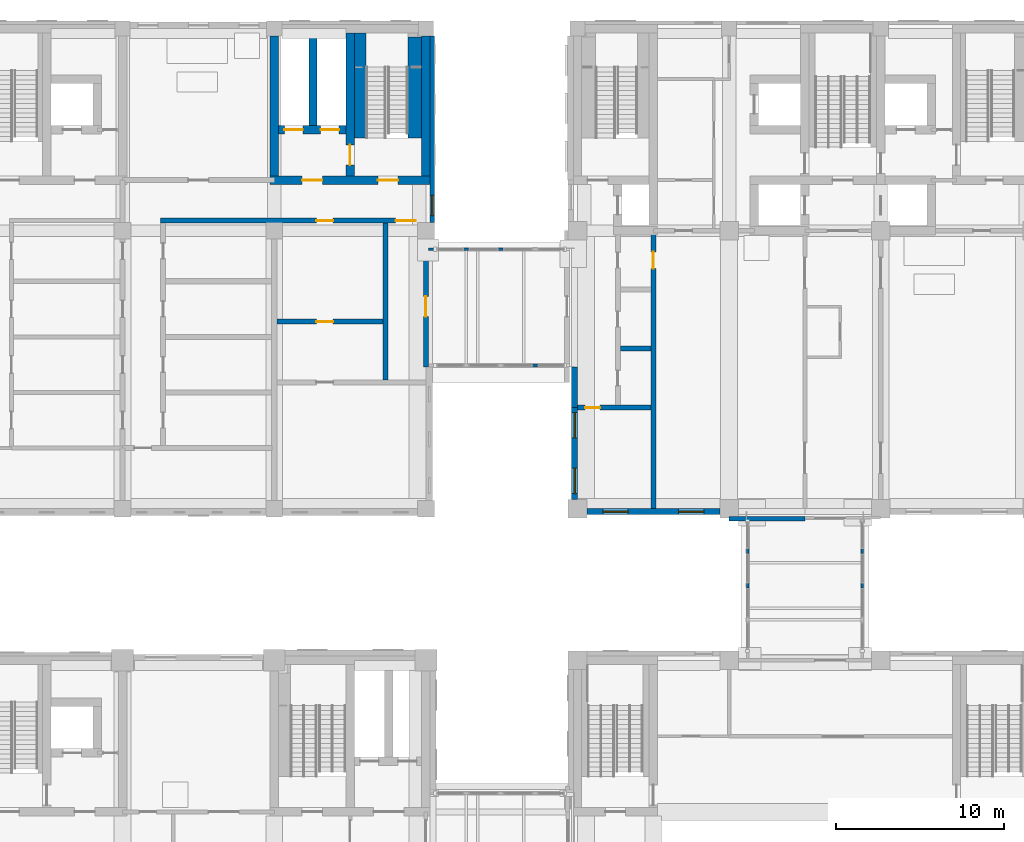
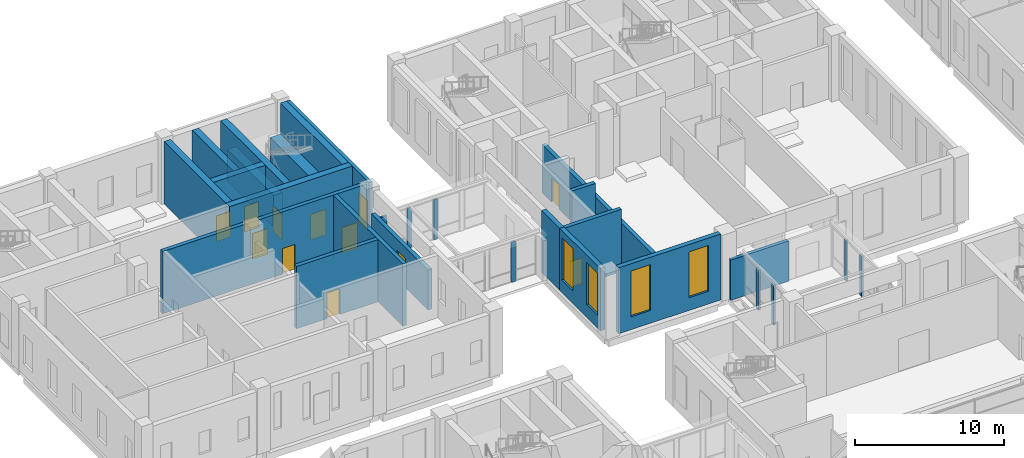
# One storey, part 32 of 52: 28 walls, 11 doors, 5 windows, 16 openings.
"""IFC4 building model written with IfcOpenShell, lengths in metres."""

from ifc_helpers import new_model, si_unit, direction, frame, frame_2d, origin, place, context, subcontext, project, spatial, rectangle, extrude, material, layer, layer_set, type_object, element, fill, save


model = new_model("IFC4")

# Units and contexts
model_context = context("Model", 3, precision=1e-05, world=origin(), true_north=direction((0.0, 1.0)))
body_context = subcontext(model_context, "Body", "Model", "MODEL_VIEW")
ifc_project = project(units=[si_unit("LENGTHUNIT", "METRE"), si_unit("AREAUNIT", "SQUARE_METRE"), si_unit("VOLUMEUNIT", "CUBIC_METRE"), si_unit("PLANEANGLEUNIT", "RADIAN"), si_unit("MASSUNIT", "GRAM", prefix="KILO")], contexts=[model_context])

# Site, building, storey
site_placement = place(None, origin())
site = spatial("IfcSite", under=ifc_project, at=site_placement, CompositionType="ELEMENT")
building_placement = place(site_placement, origin())
building = spatial("IfcBuilding", under=site, at=building_placement, Name="Aurelan Courthouse", CompositionType="ELEMENT")
storey_placement = place(building_placement, frame((0.0, 0.0, 6.60009765625)))
storey = spatial("IfcBuildingStorey", under=building, at=storey_placement, Name="L01", CompositionType="ELEMENT", Elevation=6.60009765625)

# Wall, openings, windows
ifc_material_1 = material(Name="Granite cladding", Category="masonry")
ifc_layer_1 = layer(ifc_material_1, 0.10009765625, Name="Facing")
ifc_material_2 = material(Name="Ventilated cavity")
ifc_layer_2 = layer(ifc_material_2, 0.02490234375, ventilated=True, Name="Ventilated cavity")
ifc_material_3 = material(Name="Mineral wool insulation")
ifc_layer_3 = layer(ifc_material_3, 0.050048828125, Name="Insulation")
ifc_material_4 = material(Name="Concrete C30", Category="concrete")
ifc_layer_4 = layer(ifc_material_4, 0.175048828125, Name="Structure")
ifc_layer_set_1 = layer_set([ifc_layer_1, ifc_layer_2, ifc_layer_3, ifc_layer_4], Name="Concrete C30")
wall_type_1 = type_object("IfcWallType", Name="Courtroom Block granite-faced wall 350", PredefinedType="SOLIDWALL", material=ifc_layer_set_1)
wall_1_placement = place(storey_placement, frame((36.550048828125, 37.324951171875, 0.0), z_axis=(0.0, 0.0, 1.0), x_axis=(1.0, 0.0, 0.0)))
wall_1 = element("IfcWall", 1, at=wall_1_placement, inside=storey, type_object=wall_type_1, Name="Facade wall FW-V2-L01-001", PredefinedType="SOLIDWALL", context=body_context, shape_type="SweptSolid", body=[
    extrude(rectangle(XDim=7.89990234375, YDim=0.35009765625, at=frame_2d((3.949951171875, 0.0))), origin(), (0.0, 0.0, 1.0), 5.39990234375),
])
opening_1_placement = place(wall_1_placement, frame((0.949951171875, 0.0, 1.050048828125)))
opening_1 = element("IfcOpeningElement", 2, at=opening_1_placement, cuts=wall_1, Name="Opening WN-V2-L01-001", PredefinedType="OPENING", context=body_context, shape_type="SweptSolid", body=[
    extrude(rectangle(XDim=1.5, YDim=3.75, at=frame_2d((0.75, 1.875))), frame((0.0, 0.18505859375, 0.0), z_axis=(0.0, -1.0, 0.0), x_axis=(1.0, 0.0, 0.0)), (0.0, 0.0, 1.0), 0.3701171875),
])
opening_2_placement = place(wall_1_placement, frame((5.449951171875, 0.0, 1.050048828125)))
opening_2 = element("IfcOpeningElement", 3, at=opening_2_placement, cuts=wall_1, Name="Opening WN-V2-L01-002", PredefinedType="OPENING", context=body_context, shape_type="SweptSolid", body=[
    extrude(rectangle(XDim=1.5, YDim=3.75, at=frame_2d((0.75, 1.875))), frame((0.0, 0.18505859375, 0.0), z_axis=(0.0, -1.0, 0.0), x_axis=(1.0, 0.0, 0.0)), (0.0, 0.0, 1.0), 0.3701171875),
])
ifc_material_5 = material(Name="Bronze-finished aluminium and glass", Category="aluminium")
window_type_1 = type_object("IfcWindowType", Name="Courtroom Block glazed slot 1500 x 3750, sill 1050", PartitioningType="SINGLE_PANEL", PredefinedType="WINDOW", material=ifc_material_5)
window_1_placement = place(opening_1_placement, origin())
window_1 = element("IfcWindow", 4, at=window_1_placement, inside=storey, type_object=window_type_1, Name="Glazed slot WN-V2-L01-001", OverallHeight=3.75, OverallWidth=1.5, PartitioningType="SINGLE_PANEL", PredefinedType="WINDOW", context=body_context, shape_type="SweptSolid", body=[
    extrude(rectangle(XDim=1.5, YDim=3.75, at=frame_2d((0.75, 1.875))), frame((0.0, 0.030029296875, 0.0), z_axis=(0.0, -1.0, 0.0), x_axis=(1.0, 0.0, 0.0)), (0.0, 0.0, 1.0), 0.06005859375),
])
fill(opening_1, window_1)
window_2_placement = place(opening_2_placement, origin())
window_2 = element("IfcWindow", 5, at=window_2_placement, inside=storey, type_object=window_type_1, Name="Glazed slot WN-V2-L01-002", OverallHeight=3.75, OverallWidth=1.5, PartitioningType="SINGLE_PANEL", PredefinedType="WINDOW", context=body_context, shape_type="SweptSolid", body=[
    extrude(rectangle(XDim=1.5, YDim=3.75, at=frame_2d((0.75, 1.875))), frame((0.0, 0.030029296875, 0.0), z_axis=(0.0, -1.0, 0.0), x_axis=(1.0, 0.0, 0.0)), (0.0, 0.0, 1.0), 0.06005859375),
])
fill(opening_2, window_2)

wall_2_placement = place(storey_placement, frame((35.824951171875, 38.050048828125, 0.0), z_axis=(0.0, 0.0, 1.0), x_axis=(0.0, 1.0, 0.0)))
wall_2 = element("IfcWall", 6, at=wall_2_placement, inside=storey, type_object=wall_type_1, Name="Facade wall FW-V2-L01-009", PredefinedType="SOLIDWALL", context=body_context, shape_type="SweptSolid", body=[
    extrude(rectangle(XDim=5.449951171875, YDim=0.35009765625, at=frame_2d((2.72509765625, 0.0))), origin(), (0.0, 0.0, 1.0), 5.099853515625),
])
opening_3_placement = place(wall_2_placement, frame((0.35009765625, 0.0, 1.050048828125)))
opening_3 = element("IfcOpeningElement", 7, at=opening_3_placement, cuts=wall_2, Name="Opening WN-V2-L01-013", PredefinedType="OPENING", context=body_context, shape_type="SweptSolid", body=[
    extrude(rectangle(XDim=1.5, YDim=3.449951171875, at=frame_2d((0.75, 1.72509765625))), frame((0.0, 0.18505859375, 0.0), z_axis=(0.0, -1.0, 0.0), x_axis=(1.0, 0.0, 0.0)), (0.0, 0.0, 1.0), 0.3701171875),
])
opening_4_placement = place(wall_2_placement, frame((3.64990234375, 0.0, 1.050048828125)))
opening_4 = element("IfcOpeningElement", 8, at=opening_4_placement, cuts=wall_2, Name="Opening WN-V2-L01-014", PredefinedType="OPENING", context=body_context, shape_type="SweptSolid", body=[
    extrude(rectangle(XDim=1.5, YDim=3.449951171875, at=frame_2d((0.75, 1.72509765625))), frame((0.0, 0.18505859375, 0.0), z_axis=(0.0, -1.0, 0.0), x_axis=(1.0, 0.0, 0.0)), (0.0, 0.0, 1.0), 0.3701171875),
])
window_type_2 = type_object("IfcWindowType", Name="Courtroom Block glazed slot 1500 x 3450, sill 1050", PartitioningType="SINGLE_PANEL", PredefinedType="WINDOW", material=ifc_material_5)
window_3_placement = place(opening_3_placement, origin())
window_3 = element("IfcWindow", 9, at=window_3_placement, inside=storey, type_object=window_type_2, Name="Glazed slot WN-V2-L01-013", OverallHeight=3.449951171875, OverallWidth=1.5, PartitioningType="SINGLE_PANEL", PredefinedType="WINDOW", context=body_context, shape_type="SweptSolid", body=[
    extrude(rectangle(XDim=1.5, YDim=3.449951171875, at=frame_2d((0.75, 1.72509765625))), frame((0.0, 0.030029296875, 0.0), z_axis=(0.0, -1.0, 0.0), x_axis=(1.0, 0.0, 0.0)), (0.0, 0.0, 1.0), 0.06005859375),
])
fill(opening_3, window_3)
window_4_placement = place(opening_4_placement, origin())
window_4 = element("IfcWindow", 10, at=window_4_placement, inside=storey, type_object=window_type_2, Name="Glazed slot WN-V2-L01-014", OverallHeight=3.449951171875, OverallWidth=1.5, PartitioningType="SINGLE_PANEL", PredefinedType="WINDOW", context=body_context, shape_type="SweptSolid", body=[
    extrude(rectangle(XDim=1.5, YDim=3.449951171875, at=frame_2d((0.75, 1.72509765625))), frame((0.0, 0.030029296875, 0.0), z_axis=(0.0, -1.0, 0.0), x_axis=(1.0, 0.0, 0.0)), (0.0, 0.0, 1.0), 0.06005859375),
])
fill(opening_4, window_4)

# Walls
wall_3_placement = place(storey_placement, frame((35.824951171875, 43.5, 0.0), z_axis=(0.0, 0.0, 1.0), x_axis=(0.0, 1.0, 0.0)))
element("IfcWall", 11, at=wall_3_placement, inside=storey, type_object=wall_type_1, Name="Facade wall FW-V2-L01-010", PredefinedType="SOLIDWALL", context=body_context, shape_type="SweptSolid", body=[
    extrude(rectangle(XDim=2.425048828125, YDim=0.35009765625, at=frame_2d((1.21240234375, 0.0))), origin(), (0.0, 0.0, 1.0), 5.099853515625),
])
ifc_material_6 = material(Name="Masonry block", Category="masonry")
ifc_layer_5 = layer(ifc_material_6, 0.25)
ifc_layer_set_2 = layer_set([ifc_layer_5], Name="Masonry block")
wall_type_2 = type_object("IfcWallType", Name="Courtroom wall 250 EI 60", PredefinedType="PARTITIONING", material=ifc_layer_set_2)
wall_4_placement = place(storey_placement, frame((45.0, 36.89990234375, 0.0), z_axis=(0.0, 0.0, 1.0), x_axis=(1.0, 0.0, 0.0)))
element("IfcWall", 12, at=wall_4_placement, inside=storey, type_object=wall_type_2, Name="Courtroom wall L01-028", PredefinedType="PARTITIONING", context=body_context, shape_type="SweptSolid", body=[
    extrude(rectangle(XDim=4.5, YDim=0.25, at=frame_2d((2.25, 0.0))), origin(), (0.0, 0.0, 1.0), 3.2998046875),
])

# Wall, opening, window
ifc_layer_6 = layer(ifc_material_1, 0.070068359375, Name="Facing")
ifc_layer_7 = layer(ifc_material_2, 0.02490234375, ventilated=True, Name="Ventilated cavity")
ifc_layer_8 = layer(ifc_material_3, 0.034912109375, Name="Insulation")
ifc_layer_9 = layer(ifc_material_4, 0.1201171875, Name="Structure")
ifc_layer_set_3 = layer_set([ifc_layer_6, ifc_layer_7, ifc_layer_8, ifc_layer_9], Name="Concrete C30")
wall_type_3 = type_object("IfcWallType", Name="Custody Suite granite-faced wall 250", PredefinedType="SOLIDWALL", material=ifc_layer_set_3)
wall_5_placement = place(storey_placement, frame((27.375, 54.5, 0.0), z_axis=(0.0, 0.0, 1.0), x_axis=(0.0, 1.0, 0.0)))
wall_5 = element("IfcWall", 13, at=wall_5_placement, inside=storey, type_object=wall_type_3, Name="Facade wall FW-V6-L01-008", PredefinedType="SOLIDWALL", context=body_context, shape_type="SweptSolid", body=[
    extrude(rectangle(XDim=11.050048828125, YDim=0.25, at=frame_2d((5.52490234375, 0.0))), origin(), (0.0, 0.0, 1.0), 5.099853515625),
])
opening_5_placement = place(wall_5_placement, frame((0.39990234375, 0.0, 0.89990234375)))
opening_5 = element("IfcOpeningElement", 14, at=opening_5_placement, cuts=wall_5, Name="Opening WN-V6-L01-017", PredefinedType="OPENING", context=body_context, shape_type="SweptSolid", body=[
    extrude(rectangle(XDim=1.199951171875, YDim=2.39990234375, at=frame_2d((0.60009765625, 1.199951171875))), frame((0.0, 0.135009765625, 0.0), z_axis=(0.0, -1.0, 0.0), x_axis=(1.0, 0.0, 0.0)), (0.0, 0.0, 1.0), 0.27001953125),
])
window_type_3 = type_object("IfcWindowType", Name="Custody Suite glazed slot 1200 x 2400, sill 900", PartitioningType="SINGLE_PANEL", PredefinedType="WINDOW", material=ifc_material_5)
window_5_placement = place(opening_5_placement, origin())
window_5 = element("IfcWindow", 15, at=window_5_placement, inside=storey, type_object=window_type_3, Name="Glazed slot WN-V6-L01-017", OverallHeight=2.39990234375, OverallWidth=1.199951171875, PartitioningType="SINGLE_PANEL", PredefinedType="WINDOW", context=body_context, shape_type="SweptSolid", body=[
    extrude(rectangle(XDim=1.199951171875, YDim=2.39990234375, at=frame_2d((0.60009765625, 1.199951171875))), frame((0.0, 0.030029296875, 0.0), z_axis=(0.0, -1.0, 0.0), x_axis=(1.0, 0.0, 0.0)), (0.0, 0.0, 1.0), 0.06005859375),
])
fill(opening_5, window_5)

# Wall, opening, door
ifc_layer_10 = layer(ifc_material_4, 0.300048828125)
ifc_layer_set_4 = layer_set([ifc_layer_10], Name="Concrete C30")
wall_type_4 = type_object("IfcWallType", Name="Custody wall 300 EI 120", PredefinedType="PARTITIONING", material=ifc_layer_set_4)
wall_6_placement = place(storey_placement, frame((36.0, 43.5, 0.0), z_axis=(0.0, 0.0, 1.0), x_axis=(1.0, 0.0, 0.0)))
wall_6 = element("IfcWall", 16, at=wall_6_placement, inside=storey, type_object=wall_type_4, Name="Custody wall L01-033", PredefinedType="PARTITIONING", context=body_context, shape_type="SweptSolid", body=[
    extrude(rectangle(XDim=4.35009765625, YDim=0.300048828125, at=frame_2d((2.175048828125, 0.0))), origin(), (0.0, 0.0, 1.0), 5.099853515625),
])
opening_6_placement = place(wall_6_placement, frame((1.349853515625, 0.0, 0.0), z_axis=(0.0, 0.0, 1.0), x_axis=(-1.0, 0.0, 0.0)))
opening_6 = element("IfcOpeningElement", 17, at=opening_6_placement, cuts=wall_6, Name="Opening D-L01-026", PredefinedType="OPENING", context=body_context, shape_type="SweptSolid", body=[
    extrude(rectangle(XDim=0.89990234375, YDim=2.10009765625, at=frame_2d((0.449951171875, 1.050048828125))), frame((0.0, 0.159912109375, 0.0), z_axis=(0.0, -1.0, 0.0), x_axis=(1.0, 0.0, 0.0)), (0.0, 0.0, 1.0), 0.320068359375),
])
ifc_material_7 = material(Name="Steel", Category="steel")
door_type_1 = type_object("IfcDoorType", Name="Single door 900 x 2100 FD90", OperationType="SINGLE_SWING_LEFT", PredefinedType="DOOR", material=ifc_material_7)
door_1_placement = place(opening_6_placement, origin())
door_1 = element("IfcDoor", 18, at=door_1_placement, inside=storey, type_object=door_type_1, Name="Single door D-L01-026", OperationType="SINGLE_SWING_RIGHT", OverallHeight=2.10009765625, OverallWidth=0.89990234375, PredefinedType="DOOR", context=body_context, shape_type="SweptSolid", body=[
    extrude(rectangle(XDim=0.89990234375, YDim=2.10009765625, at=frame_2d((0.449951171875, 1.050048828125))), frame((0.0, 0.02490234375, 0.0), z_axis=(0.0, -1.0, 0.0), x_axis=(1.0, 0.0, 0.0)), (0.0, 0.0, 1.0), 0.050048828125),
])
fill(opening_6, door_1)

# Wall
wall_7_placement = place(storey_placement, frame((38.550048828125, 47.0, 0.0), z_axis=(0.0, 0.0, 1.0), x_axis=(1.0, 0.0, 0.0)))
element("IfcWall", 19, at=wall_7_placement, inside=storey, type_object=wall_type_4, Name="Custody wall L01-038", PredefinedType="PARTITIONING", context=body_context, shape_type="SweptSolid", body=[
    extrude(rectangle(XDim=1.800048828125, YDim=0.300048828125, at=frame_2d((0.89990234375, 0.0))), origin(), (0.0, 0.0, 1.0), 5.099853515625),
])

# Wall, opening, door
wall_8_placement = place(storey_placement, frame((18.14990234375, 48.60009765625, 0.0), z_axis=(0.0, 0.0, 1.0), x_axis=(1.0, 0.0, 0.0)))
wall_8 = element("IfcWall", 20, at=wall_8_placement, inside=storey, type_object=wall_type_4, Name="Custody wall L01-041", PredefinedType="PARTITIONING", context=body_context, shape_type="SweptSolid", body=[
    extrude(rectangle(XDim=6.300048828125, YDim=0.300048828125, at=frame_2d((3.14990234375, 0.0))), origin(), (0.0, 0.0, 1.0), 5.099853515625),
])
opening_7_placement = place(wall_8_placement, frame((3.35009765625, 0.0, 0.0), z_axis=(0.0, 0.0, 1.0), x_axis=(-1.0, 0.0, 0.0)))
opening_7 = element("IfcOpeningElement", 21, at=opening_7_placement, cuts=wall_8, Name="Opening D-L01-116", PredefinedType="OPENING", context=body_context, shape_type="SweptSolid", body=[
    extrude(rectangle(XDim=1.0, YDim=2.10009765625, at=frame_2d((0.5, 1.050048828125))), frame((0.0, 0.159912109375, 0.0), z_axis=(0.0, -1.0, 0.0), x_axis=(1.0, 0.0, 0.0)), (0.0, 0.0, 1.0), 0.320068359375),
])
door_type_2 = type_object("IfcDoorType", Name="Single door 1000 x 2100 FD120", OperationType="SINGLE_SWING_LEFT", PredefinedType="DOOR", material=ifc_material_7)
door_2_placement = place(opening_7_placement, origin())
door_2 = element("IfcDoor", 22, at=door_2_placement, inside=storey, type_object=door_type_2, Name="Single door D-L01-116", OperationType="SINGLE_SWING_RIGHT", OverallHeight=2.10009765625, OverallWidth=1.0, PredefinedType="DOOR", context=body_context, shape_type="SweptSolid", body=[
    extrude(rectangle(XDim=1.0, YDim=2.10009765625, at=frame_2d((0.5, 1.050048828125))), frame((0.0, 0.02490234375, 0.0), z_axis=(0.0, -1.0, 0.0), x_axis=(1.0, 0.0, 0.0)), (0.0, 0.0, 1.0), 0.050048828125),
])
fill(opening_7, door_2)

# Wall, openings, doors
wall_9_placement = place(storey_placement, frame((11.25, 54.60009765625, 0.0), z_axis=(0.0, 0.0, 1.0), x_axis=(1.0, 0.0, 0.0)))
wall_9 = element("IfcWall", 23, at=wall_9_placement, inside=storey, type_object=wall_type_4, Name="Custody wall L01-056", PredefinedType="PARTITIONING", context=body_context, shape_type="SweptSolid", body=[
    extrude(rectangle(XDim=15.75, YDim=0.300048828125, at=frame_2d((7.875, 0.0))), origin(), (0.0, 0.0, 1.0), 5.099853515625),
])
opening_8_placement = place(wall_9_placement, frame((15.14990234375, 0.0, 0.0), z_axis=(0.0, 0.0, 1.0), x_axis=(-1.0, 0.0, 0.0)))
opening_8 = element("IfcOpeningElement", 24, at=opening_8_placement, cuts=wall_9, Name="Opening D-L01-099", PredefinedType="OPENING", context=body_context, shape_type="SweptSolid", body=[
    extrude(rectangle(XDim=1.199951171875, YDim=2.10009765625, at=frame_2d((0.60009765625, 1.050048828125))), frame((0.0, 0.159912109375, 0.0), z_axis=(0.0, -1.0, 0.0), x_axis=(1.0, 0.0, 0.0)), (0.0, 0.0, 1.0), 0.320068359375),
])
opening_9_placement = place(wall_9_placement, frame((10.25, 0.0, 0.0), z_axis=(0.0, 0.0, 1.0), x_axis=(-1.0, 0.0, 0.0)))
opening_9 = element("IfcOpeningElement", 25, at=opening_9_placement, cuts=wall_9, Name="Opening D-L01-115", PredefinedType="OPENING", context=body_context, shape_type="SweptSolid", body=[
    extrude(rectangle(XDim=1.0, YDim=2.10009765625, at=frame_2d((0.5, 1.050048828125))), frame((0.0, 0.159912109375, 0.0), z_axis=(0.0, -1.0, 0.0), x_axis=(1.0, 0.0, 0.0)), (0.0, 0.0, 1.0), 0.320068359375),
])
door_3_placement = place(opening_9_placement, origin())
door_3 = element("IfcDoor", 26, at=door_3_placement, inside=storey, type_object=door_type_2, Name="Single door D-L01-115", OperationType="SINGLE_SWING_RIGHT", OverallHeight=2.10009765625, OverallWidth=1.0, PredefinedType="DOOR", context=body_context, shape_type="SweptSolid", body=[
    extrude(rectangle(XDim=1.0, YDim=2.10009765625, at=frame_2d((0.5, 1.050048828125))), frame((0.0, 0.02490234375, 0.0), z_axis=(0.0, -1.0, 0.0), x_axis=(1.0, 0.0, 0.0)), (0.0, 0.0, 1.0), 0.050048828125),
])
fill(opening_9, door_3)
door_type_3 = type_object("IfcDoorType", Name="Single door 1200 x 2100 FD120", OperationType="SINGLE_SWING_LEFT", PredefinedType="DOOR", material=ifc_material_7)
door_4_placement = place(opening_8_placement, origin())
door_4 = element("IfcDoor", 27, at=door_4_placement, inside=storey, type_object=door_type_3, Name="Single door D-L01-099", OperationType="SINGLE_SWING_LEFT", OverallHeight=2.10009765625, OverallWidth=1.199951171875, PredefinedType="DOOR", context=body_context, shape_type="SweptSolid", body=[
    extrude(rectangle(XDim=1.199951171875, YDim=2.10009765625, at=frame_2d((0.60009765625, 1.050048828125))), frame((0.0, 0.02490234375, 0.0), z_axis=(0.0, -1.0, 0.0), x_axis=(1.0, 0.0, 0.0)), (0.0, 0.0, 1.0), 0.050048828125),
])
fill(opening_8, door_4)

# Wall
wall_10_placement = place(storey_placement, frame((24.60009765625, 45.14990234375, 0.0), z_axis=(0.0, 0.0, 1.0), x_axis=(0.0, 1.0, 0.0)))
element("IfcWall", 28, at=wall_10_placement, inside=storey, type_object=wall_type_4, Name="Custody wall L01-083", PredefinedType="PARTITIONING", context=body_context, shape_type="SweptSolid", body=[
    extrude(rectangle(XDim=9.300048828125, YDim=0.300048828125, at=frame_2d((4.64990234375, 0.0))), origin(), (0.0, 0.0, 1.0), 5.099853515625),
])

# Wall, opening, door
wall_11_placement = place(storey_placement, frame((27.0, 45.925048828125, 0.0), z_axis=(0.0, 0.0, 1.0), x_axis=(0.0, 1.0, 0.0)))
wall_11 = element("IfcWall", 29, at=wall_11_placement, inside=storey, type_object=wall_type_4, Name="Custody wall L01-086", PredefinedType="PARTITIONING", context=body_context, shape_type="SweptSolid", body=[
    extrude(rectangle(XDim=7.574951171875, YDim=0.300048828125, at=frame_2d((3.78759765625, 0.0))), origin(), (0.0, 0.0, 1.0), 3.2998046875),
])
opening_10_placement = place(wall_11_placement, frame((2.97509765625, 0.0, 0.0)))
opening_10 = element("IfcOpeningElement", 30, at=opening_10_placement, cuts=wall_11, Name="Opening D-L01-122", PredefinedType="OPENING", context=body_context, shape_type="SweptSolid", body=[
    extrude(rectangle(XDim=1.199951171875, YDim=2.39990234375, at=frame_2d((0.60009765625, 1.199951171875))), frame((0.0, 0.159912109375, 0.0), z_axis=(0.0, -1.0, 0.0), x_axis=(1.0, 0.0, 0.0)), (0.0, 0.0, 1.0), 0.320068359375),
])
door_type_4 = type_object("IfcDoorType", Name="Double door 1200 x 2400 FD90", OperationType="DOUBLE_DOOR_SINGLE_SWING", PredefinedType="DOOR", material=ifc_material_7)
door_5_placement = place(opening_10_placement, origin())
door_5 = element("IfcDoor", 31, at=door_5_placement, inside=storey, type_object=door_type_4, Name="Double door D-L01-122", OperationType="DOUBLE_DOOR_SINGLE_SWING", OverallHeight=2.39990234375, OverallWidth=1.199951171875, PredefinedType="DOOR", context=body_context, shape_type="SweptSolid", body=[
    extrude(rectangle(XDim=1.199951171875, YDim=2.39990234375, at=frame_2d((0.60009765625, 1.199951171875))), frame((0.0, 0.02490234375, 0.0), z_axis=(0.0, -1.0, 0.0), x_axis=(1.0, 0.0, 0.0)), (0.0, 0.0, 1.0), 0.050048828125),
])
fill(opening_10, door_5)

wall_12_placement = place(storey_placement, frame((40.5, 37.5, 0.0), z_axis=(0.0, 0.0, 1.0), x_axis=(0.0, 1.0, 0.0)))
wall_12 = element("IfcWall", 32, at=wall_12_placement, inside=storey, type_object=wall_type_4, Name="Custody wall L01-093", PredefinedType="PARTITIONING", context=body_context, shape_type="SweptSolid", body=[
    extrude(rectangle(XDim=16.5, YDim=0.300048828125, at=frame_2d((8.25, 0.0))), origin(), (0.0, 0.0, 1.0), 3.949951171875),
])
opening_11_placement = place(wall_12_placement, frame((14.25, 0.0, 0.0)))
opening_11 = element("IfcOpeningElement", 33, at=opening_11_placement, cuts=wall_12, Name="Opening D-L01-030", PredefinedType="OPENING", context=body_context, shape_type="SweptSolid", body=[
    extrude(rectangle(XDim=1.0, YDim=2.0, at=frame_2d((0.5, 1.0))), frame((0.0, 0.159912109375, 0.0), z_axis=(0.0, -1.0, 0.0), x_axis=(1.0, 0.0, 0.0)), (0.0, 0.0, 1.0), 0.320068359375),
])
door_type_5 = type_object("IfcDoorType", Name="Single door 1000 x 2000 FD90", OperationType="SINGLE_SWING_LEFT", PredefinedType="DOOR", material=ifc_material_7)
door_6_placement = place(opening_11_placement, origin())
door_6 = element("IfcDoor", 34, at=door_6_placement, inside=storey, type_object=door_type_5, Name="Single door D-L01-030", OperationType="SINGLE_SWING_LEFT", OverallHeight=2.0, OverallWidth=1.0, PredefinedType="DOOR", context=body_context, shape_type="SweptSolid", body=[
    extrude(rectangle(XDim=1.0, YDim=2.0, at=frame_2d((0.5, 1.0))), frame((0.0, 0.02490234375, 0.0), z_axis=(0.0, -1.0, 0.0), x_axis=(1.0, 0.0, 0.0)), (0.0, 0.0, 1.0), 0.050048828125),
])
fill(opening_11, door_6)

# Walls
ifc_material_8 = material(Name="Concrete C40", Category="concrete")
ifc_layer_11 = layer(ifc_material_8, 0.14990234375)
ifc_layer_set_5 = layer_set([ifc_layer_11], Name="Concrete C40")
wall_type_5 = type_object("IfcWallType", Name="Passage end pier 150 x 500 x 3300", PredefinedType="SOLIDWALL", material=ifc_layer_set_5)
wall_13_placement = place(storey_placement, frame((27.14990234375, 52.89990234375, 0.0), z_axis=(0.0, 0.0, 1.0), x_axis=(1.0, 0.0, 0.0)))
element("IfcWall", 35, at=wall_13_placement, inside=storey, type_object=wall_type_5, Name="Passage pier BR4-P06", PredefinedType="SOLIDWALL", context=body_context, shape_type="SweptSolid", body=[
    extrude(rectangle(XDim=0.5, YDim=0.14990234375, at=frame_2d((0.25, 0.0))), origin(), (0.0, 0.0, 1.0), 3.2998046875),
])
ifc_layer_12 = layer(ifc_material_8, 0.14990234375)
ifc_layer_set_6 = layer_set([ifc_layer_12], Name="Concrete C40")
wall_type_6 = type_object("IfcWallType", Name="Passage pier 150 x 300 x 3300", PredefinedType="SOLIDWALL", material=ifc_layer_set_6)
wall_14_placement = place(storey_placement, frame((46.10009765625, 32.78759765625, 0.0), z_axis=(0.0, 0.0, 1.0), x_axis=(0.0, 1.0, 0.0)))
element("IfcWall", 36, at=wall_14_placement, inside=storey, type_object=wall_type_6, Name="Passage pier BR3-P03", PredefinedType="SOLIDWALL", context=body_context, shape_type="SweptSolid", body=[
    extrude(rectangle(XDim=0.2998046875, YDim=0.14990234375, at=frame_2d((0.14990234375, 0.0))), origin(), (0.0, 0.0, 1.0), 3.2998046875),
])
wall_15_placement = place(storey_placement, frame((46.10009765625, 34.831298828125, 0.0), z_axis=(0.0, 0.0, 1.0), x_axis=(0.0, 1.0, 0.0)))
element("IfcWall", 37, at=wall_15_placement, inside=storey, type_object=wall_type_6, Name="Passage pier BR3-P04", PredefinedType="SOLIDWALL", context=body_context, shape_type="SweptSolid", body=[
    extrude(rectangle(XDim=0.300048828125, YDim=0.14990234375, at=frame_2d((0.14990234375, 0.0))), origin(), (0.0, 0.0, 1.0), 3.2998046875),
])
wall_16_placement = place(storey_placement, frame((52.89990234375, 32.78759765625, 0.0), z_axis=(0.0, 0.0, 1.0), x_axis=(0.0, 1.0, 0.0)))
element("IfcWall", 38, at=wall_16_placement, inside=storey, type_object=wall_type_6, Name="Passage pier BR3-P08", PredefinedType="SOLIDWALL", context=body_context, shape_type="SweptSolid", body=[
    extrude(rectangle(XDim=0.2998046875, YDim=0.14990234375, at=frame_2d((0.14990234375, 0.0))), origin(), (0.0, 0.0, 1.0), 3.2998046875),
])
for number, where, z_axis, x_axis, name in (
    (39, (52.89990234375, 34.831298828125, 0.0), (0.0, 0.0, 1.0), (0.0, 1.0, 0.0), "Passage pier BR3-P09"),
    (40, (33.331298828125, 46.0, 0.0), (0.0, 0.0, 1.0), (1.0, 0.0, 0.0), "Passage pier BR4-P04"),
):
    element("IfcWall", number, at=place(storey_placement, frame(where, z_axis=z_axis, x_axis=x_axis)), inside=storey, type_object=wall_type_6, Name=name, PredefinedType="SOLIDWALL", context=body_context, shape_type="SweptSolid", body=[
        extrude(rectangle(XDim=0.300048828125, YDim=0.14990234375, at=frame_2d((0.14990234375, 0.0))), origin(), (0.0, 0.0, 1.0), 3.2998046875),
    ])
for number, where, z_axis, x_axis, name in (
    (41, (29.243896484375, 52.89990234375, 0.0), (0.0, 0.0, 1.0), (1.0, 0.0, 0.0), "Passage pier BR4-P07"),
    (42, (31.28759765625, 52.89990234375, 0.0), (0.0, 0.0, 1.0), (1.0, 0.0, 0.0), "Passage pier BR4-P08"),
):
    element("IfcWall", number, at=place(storey_placement, frame(where, z_axis=z_axis, x_axis=x_axis)), inside=storey, type_object=wall_type_6, Name=name, PredefinedType="SOLIDWALL", context=body_context, shape_type="SweptSolid", body=[
        extrude(rectangle(XDim=0.2998046875, YDim=0.14990234375, at=frame_2d((0.14990234375, 0.0))), origin(), (0.0, 0.0, 1.0), 3.2998046875),
    ])

# Wall, openings, doors
ifc_material_9 = material(Name="Concrete C50", Category="concrete")
ifc_layer_13 = layer(ifc_material_9, 0.5)
ifc_layer_set_7 = layer_set([ifc_layer_13], Name="Concrete C50")
wall_type_7 = type_object("IfcWallType", Name="RC shear wall 500", PredefinedType="SHEAR", material=ifc_layer_set_7)
wall_17_placement = place(storey_placement, frame((17.75, 57.0, 0.0), z_axis=(0.0, 0.0, 1.0), x_axis=(1.0, 0.0, 0.0)))
wall_17 = element("IfcWall", 43, at=wall_17_placement, inside=storey, type_object=wall_type_7, Name="Core wall SW-L01-048", PredefinedType="SHEAR", context=body_context, shape_type="SweptSolid", body=[
    extrude(rectangle(XDim=9.5, YDim=0.5, at=frame_2d((4.75, 0.0))), origin(), (0.0, 0.0, 1.0), 5.099853515625),
])
opening_12_placement = place(wall_17_placement, frame((3.099853515625, 0.0, 0.0), z_axis=(0.0, 0.0, 1.0), x_axis=(-1.0, 0.0, 0.0)))
opening_12 = element("IfcOpeningElement", 44, at=opening_12_placement, cuts=wall_17, Name="Opening D-L01-094", PredefinedType="OPENING", context=body_context, shape_type="SweptSolid", body=[
    extrude(rectangle(XDim=1.199951171875, YDim=2.10009765625, at=frame_2d((0.60009765625, 1.050048828125))), frame((0.0, 0.260009765625, 0.0), z_axis=(0.0, -1.0, 0.0), x_axis=(1.0, 0.0, 0.0)), (0.0, 0.0, 1.0), 0.52001953125),
])
opening_13_placement = place(wall_17_placement, frame((6.39990234375, 0.0, 0.0)))
opening_13 = element("IfcOpeningElement", 45, at=opening_13_placement, cuts=wall_17, Name="Opening D-L01-098", PredefinedType="OPENING", context=body_context, shape_type="SweptSolid", body=[
    extrude(rectangle(XDim=1.199951171875, YDim=2.10009765625, at=frame_2d((0.60009765625, 1.050048828125))), frame((0.0, 0.260009765625, 0.0), z_axis=(0.0, -1.0, 0.0), x_axis=(1.0, 0.0, 0.0)), (0.0, 0.0, 1.0), 0.52001953125),
])
door_7_placement = place(opening_12_placement, origin())
door_7 = element("IfcDoor", 46, at=door_7_placement, inside=storey, type_object=door_type_3, Name="Single door D-L01-094", OperationType="SINGLE_SWING_LEFT", OverallHeight=2.10009765625, OverallWidth=1.199951171875, PredefinedType="DOOR", context=body_context, shape_type="SweptSolid", body=[
    extrude(rectangle(XDim=1.199951171875, YDim=2.10009765625, at=frame_2d((0.60009765625, 1.050048828125))), frame((0.0, 0.02490234375, 0.0), z_axis=(0.0, -1.0, 0.0), x_axis=(1.0, 0.0, 0.0)), (0.0, 0.0, 1.0), 0.050048828125),
])
fill(opening_12, door_7)
door_8_placement = place(opening_13_placement, origin())
door_8 = element("IfcDoor", 47, at=door_8_placement, inside=storey, type_object=door_type_3, Name="Single door D-L01-098", OperationType="SINGLE_SWING_LEFT", OverallHeight=2.10009765625, OverallWidth=1.199951171875, PredefinedType="DOOR", context=body_context, shape_type="SweptSolid", body=[
    extrude(rectangle(XDim=1.199951171875, YDim=2.10009765625, at=frame_2d((0.60009765625, 1.050048828125))), frame((0.0, 0.02490234375, 0.0), z_axis=(0.0, -1.0, 0.0), x_axis=(1.0, 0.0, 0.0)), (0.0, 0.0, 1.0), 0.050048828125),
])
fill(opening_13, door_8)

# Wall
wall_18_placement = place(storey_placement, frame((18.0, 57.25, 0.0), z_axis=(0.0, 0.0, 1.0), x_axis=(0.0, 1.0, 0.0)))
element("IfcWall", 48, at=wall_18_placement, inside=storey, type_object=wall_type_7, Name="Core wall SW-L01-057", PredefinedType="SHEAR", context=body_context, shape_type="SweptSolid", body=[
    extrude(rectangle(XDim=8.300048828125, YDim=0.5, at=frame_2d((4.14990234375, 0.0))), origin(), (0.0, 0.0, 1.0), 5.099853515625),
])

# Wall, opening, door
wall_19_placement = place(storey_placement, frame((22.5, 57.25, 0.0), z_axis=(0.0, 0.0, 1.0), x_axis=(0.0, 1.0, 0.0)))
wall_19 = element("IfcWall", 49, at=wall_19_placement, inside=storey, type_object=wall_type_7, Name="Core wall SW-L01-058", PredefinedType="SHEAR", context=body_context, shape_type="SweptSolid", body=[
    extrude(rectangle(XDim=8.5, YDim=0.5, at=frame_2d((4.25, 0.0))), origin(), (0.0, 0.0, 1.0), 5.099853515625),
])
opening_14_placement = place(wall_19_placement, frame((1.849853515625, 0.0, 0.0), z_axis=(0.0, 0.0, 1.0), x_axis=(-1.0, 0.0, 0.0)))
opening_14 = element("IfcOpeningElement", 50, at=opening_14_placement, cuts=wall_19, Name="Opening D-L01-097", PredefinedType="OPENING", context=body_context, shape_type="SweptSolid", body=[
    extrude(rectangle(XDim=1.199951171875, YDim=2.10009765625, at=frame_2d((0.60009765625, 1.050048828125))), frame((0.0, 0.260009765625, 0.0), z_axis=(0.0, -1.0, 0.0), x_axis=(1.0, 0.0, 0.0)), (0.0, 0.0, 1.0), 0.52001953125),
])
door_9_placement = place(opening_14_placement, origin())
door_9 = element("IfcDoor", 51, at=door_9_placement, inside=storey, type_object=door_type_3, Name="Single door D-L01-097", OperationType="SINGLE_SWING_RIGHT", OverallHeight=2.10009765625, OverallWidth=1.199951171875, PredefinedType="DOOR", context=body_context, shape_type="SweptSolid", body=[
    extrude(rectangle(XDim=1.199951171875, YDim=2.10009765625, at=frame_2d((0.60009765625, 1.050048828125))), frame((0.0, 0.02490234375, 0.0), z_axis=(0.0, -1.0, 0.0), x_axis=(1.0, 0.0, 0.0)), (0.0, 0.0, 1.0), 0.050048828125),
])
fill(opening_14, door_9)

# Wall
wall_20_placement = place(storey_placement, frame((27.0, 57.25, 0.0), z_axis=(0.0, 0.0, 1.0), x_axis=(0.0, 1.0, 0.0)))
element("IfcWall", 52, at=wall_20_placement, inside=storey, type_object=wall_type_7, Name="Core wall SW-L01-059", PredefinedType="SHEAR", context=body_context, shape_type="SweptSolid", body=[
    extrude(rectangle(XDim=8.300048828125, YDim=0.5, at=frame_2d((4.14990234375, 0.0))), origin(), (0.0, 0.0, 1.0), 5.099853515625),
])

# Wall, openings, doors
wall_21_placement = place(storey_placement, frame((18.25, 60.0, 0.0), z_axis=(0.0, 0.0, 1.0), x_axis=(1.0, 0.0, 0.0)))
wall_21 = element("IfcWall", 53, at=wall_21_placement, inside=storey, type_object=wall_type_7, Name="Core wall SW-L01-068", PredefinedType="SHEAR", context=body_context, shape_type="SweptSolid", body=[
    extrude(rectangle(XDim=4.0, YDim=0.5, at=frame_2d((2.0, 0.0))), origin(), (0.0, 0.0, 1.0), 5.099853515625),
])
opening_15_placement = place(wall_21_placement, frame((0.35009765625, 0.0, 0.0)))
opening_15 = element("IfcOpeningElement", 54, at=opening_15_placement, cuts=wall_21, Name="Opening LD-V6-C1-L01", PredefinedType="OPENING", context=body_context, shape_type="SweptSolid", body=[
    extrude(rectangle(XDim=1.10009765625, YDim=2.10009765625, at=frame_2d((0.550048828125, 1.050048828125))), frame((0.0, 0.260009765625, 0.0), z_axis=(0.0, -1.0, 0.0), x_axis=(1.0, 0.0, 0.0)), (0.0, 0.0, 1.0), 0.52001953125),
])
opening_16_placement = place(wall_21_placement, frame((2.5, 0.0, 0.0)))
opening_16 = element("IfcOpeningElement", 55, at=opening_16_placement, cuts=wall_21, Name="Opening LD-V6-C2-L01", PredefinedType="OPENING", context=body_context, shape_type="SweptSolid", body=[
    extrude(rectangle(XDim=1.10009765625, YDim=2.10009765625, at=frame_2d((0.550048828125, 1.050048828125))), frame((0.0, 0.260009765625, 0.0), z_axis=(0.0, -1.0, 0.0), x_axis=(1.0, 0.0, 0.0)), (0.0, 0.0, 1.0), 0.52001953125),
])
door_type_6 = type_object("IfcDoorType", Name="Lift landing door 1100 x 2100 FD90", OperationType="SLIDING_TO_LEFT", PredefinedType="DOOR", material=ifc_material_7)
door_10_placement = place(opening_15_placement, origin())
door_10 = element("IfcDoor", 56, at=door_10_placement, inside=storey, type_object=door_type_6, Name="Lift landing door LD-V6-C1-L01", OperationType="SLIDING_TO_LEFT", OverallHeight=2.10009765625, OverallWidth=1.10009765625, PredefinedType="DOOR", context=body_context, shape_type="SweptSolid", body=[
    extrude(rectangle(XDim=1.10009765625, YDim=2.10009765625, at=frame_2d((0.550048828125, 1.050048828125))), frame((0.0, 0.02490234375, 0.0), z_axis=(0.0, -1.0, 0.0), x_axis=(1.0, 0.0, 0.0)), (0.0, 0.0, 1.0), 0.050048828125),
])
fill(opening_15, door_10)
door_11_placement = place(opening_16_placement, origin())
door_11 = element("IfcDoor", 57, at=door_11_placement, inside=storey, type_object=door_type_6, Name="Lift landing door LD-V6-C2-L01", OperationType="SLIDING_TO_LEFT", OverallHeight=2.10009765625, OverallWidth=1.10009765625, PredefinedType="DOOR", context=body_context, shape_type="SweptSolid", body=[
    extrude(rectangle(XDim=1.10009765625, YDim=2.10009765625, at=frame_2d((0.550048828125, 1.050048828125))), frame((0.0, 0.02490234375, 0.0), z_axis=(0.0, -1.0, 0.0), x_axis=(1.0, 0.0, 0.0)), (0.0, 0.0, 1.0), 0.050048828125),
])
fill(opening_16, door_11)

# Walls
wall_22_placement = place(storey_placement, frame((20.300048828125, 60.25, 0.0), z_axis=(0.0, 0.0, 1.0), x_axis=(0.0, 1.0, 0.0)))
element("IfcWall", 58, at=wall_22_placement, inside=storey, type_object=wall_type_7, Name="Core wall SW-L01-073", PredefinedType="SHEAR", context=body_context, shape_type="SweptSolid", body=[
    extrude(rectangle(XDim=5.5, YDim=0.5, at=frame_2d((2.75, 0.0))), origin(), (0.0, 0.0, 1.0), 5.099853515625),
])
ifc_layer_14 = layer(ifc_material_4, 0.68994140625)
ifc_layer_set_8 = layer_set([ifc_layer_14], Name="Concrete C30")
wall_type_8 = type_object("IfcWallType", Name="Stair well wall 690 EI 120 load-bearing", PredefinedType="SHEAR", material=ifc_layer_set_8)
wall_23_placement = place(storey_placement, frame((23.094970703125, 59.510009765625, 0.0), z_axis=(0.0, 0.0, 1.0), x_axis=(0.0, 1.0, 0.0)))
element("IfcWall", 59, at=wall_23_placement, inside=storey, type_object=wall_type_8, Name="Stair well wall CS-6-L01 A", PredefinedType="SHEAR", context=body_context, shape_type="SweptSolid", body=[
    extrude(rectangle(XDim=6.239990234375, YDim=0.68994140625, at=frame_2d((3.1201171875, 0.0))), origin(), (0.0, 0.0, 1.0), 2.5869140625),
])
ifc_layer_15 = layer(ifc_material_4, 0.81005859375)
ifc_layer_set_9 = layer_set([ifc_layer_15], Name="Concrete C30")
wall_type_9 = type_object("IfcWallType", Name="Stair well wall 810 EI 120 load-bearing", PredefinedType="SHEAR", material=ifc_layer_set_9)
wall_24_placement = place(storey_placement, frame((26.344970703125, 59.510009765625, 0.0), z_axis=(0.0, 0.0, 1.0), x_axis=(0.0, 1.0, 0.0)))
element("IfcWall", 60, at=wall_24_placement, inside=storey, type_object=wall_type_9, Name="Stair well wall CS-6-L01 B", PredefinedType="SHEAR", context=body_context, shape_type="SweptSolid", body=[
    extrude(rectangle(XDim=5.989990234375, YDim=0.81005859375, at=frame_2d((2.9951171875, 0.0))), origin(), (0.0, 0.0, 1.0), 2.5869140625),
])

save(model, "model.ifc")
